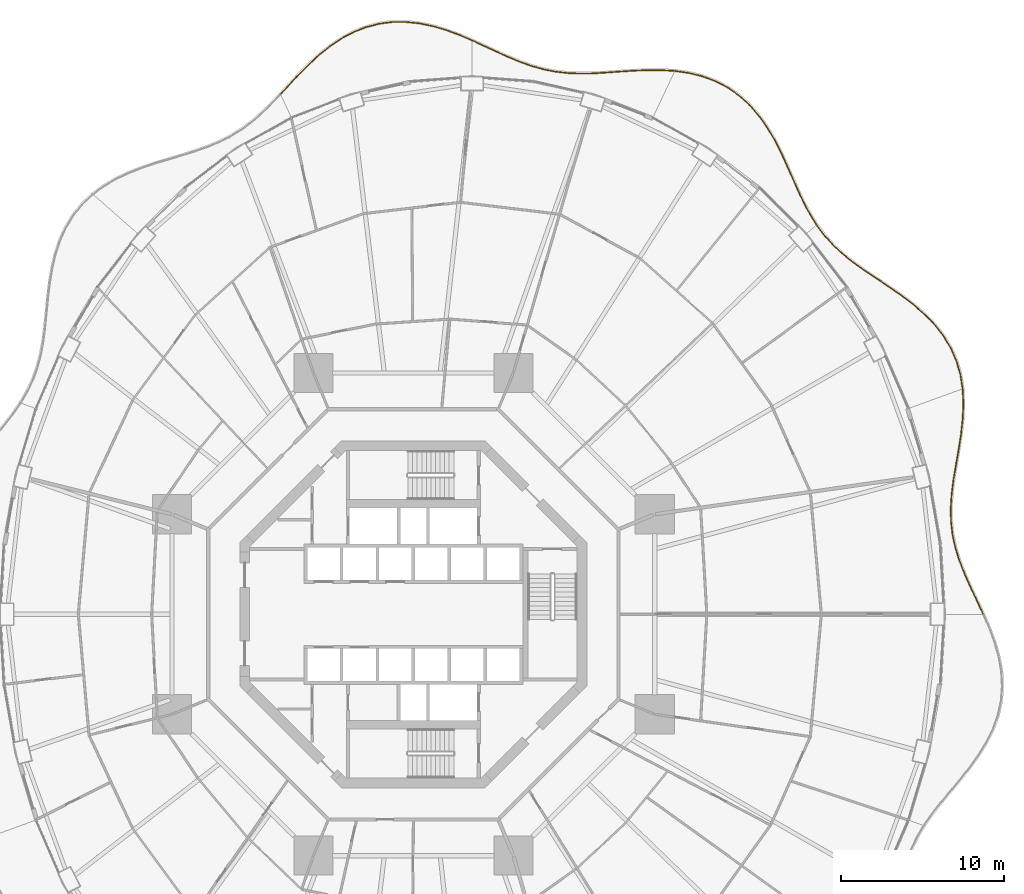
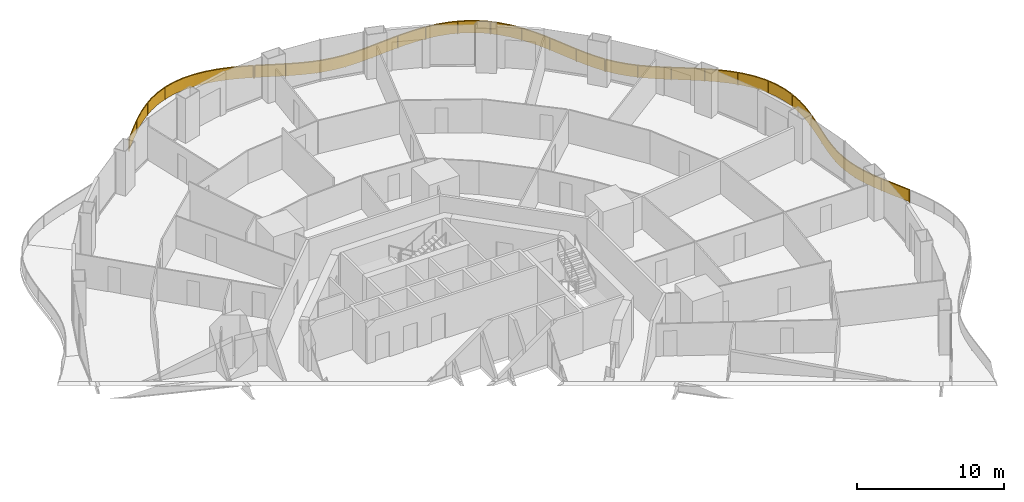
# One storey, part 22 of 22: 5 railings.
"""IFC4 building model written with IfcOpenShell, lengths in metres."""

from ifc_helpers import new_model, si_unit, direction, frame, origin, origin_2d, place, context, subcontext, project, spatial, polyline, rectangle, outline, extrude, material, type_object, element, save


model = new_model("IFC4")

# Units and contexts
model_context = context("Model", 3, precision=1e-05, world=origin(), true_north=direction((0.0, 1.0)))
body_context = subcontext(model_context, "Body", "Model", "MODEL_VIEW")
ifc_project = project(units=[si_unit("LENGTHUNIT", "METRE"), si_unit("AREAUNIT", "SQUARE_METRE"), si_unit("VOLUMEUNIT", "CUBIC_METRE"), si_unit("PLANEANGLEUNIT", "RADIAN"), si_unit("MASSUNIT", "GRAM", prefix="KILO")], contexts=[model_context])

# Site, building, storey
site_placement = place(None, origin())
site = spatial("IfcSite", under=ifc_project, at=site_placement, CompositionType="ELEMENT")
building_placement = place(site_placement, origin())
building = spatial("IfcBuilding", under=site, at=building_placement, Name="Nagisa Residences", CompositionType="ELEMENT")
storey_placement = place(building_placement, frame((0.0, 0.0, 38.10009765625)))
storey = spatial("IfcBuildingStorey", under=building, at=storey_placement, Name="L08", CompositionType="ELEMENT", Elevation=38.10009765625)

# Railings
ifc_material = material(Name="Stainless steel 316", Category="steel")
railing_type = type_object("IfcRailingType", Name="BALCONY GUARD 1100", PredefinedType="BALUSTRADE", material=ifc_material)
railing_1_placement = place(storey_placement, frame((34.8916015625, 0.034423828125, 0.0)))
element("IfcRailing", 1, at=railing_1_placement, inside=storey, type_object=railing_type, Name="guard:L08:bal00-0", PredefinedType="BALUSTRADE", context=body_context, shape_type="SweptSolid", body=[
    extrude(outline(polyline([(-0.401611328125, 0.796875), (-0.022705078125, -0.0107421875), (0.022705078125, 0.0107421875), (-0.356201171875, 0.818359375), (-0.749755859375, 1.651123046875), (-1.11474609375, 2.4697265625), (-1.430419921875, 3.278564453125), (-1.6796875, 4.08349609375), (-1.849853515625, 4.877197265625), (-1.93994140625, 5.694091796875), (-1.95068359375, 6.526611328125), (-1.89208984375, 7.37939453125), (-1.77880859375, 8.254638671875), (-1.627685546875, 9.138916015625), (-1.468994140625, 10.056640625), (-1.3251953125, 10.98876953125), (-1.221923828125, 11.927490234375), (-1.182373046875, 12.863525390625), (-1.223876953125, 13.7392578125), (-1.273681640625, 13.73681640625), (-1.232666015625, 12.863525390625), (-1.271728515625, 11.931396484375), (-1.375, 10.9951171875), (-1.518310546875, 10.06494140625), (-1.677001953125, 9.147216796875), (-1.828125, 8.261962890625), (-1.94189453125, 7.38427734375), (-2.0009765625, 6.528076171875), (-1.98974609375, 5.691162109375), (-1.899169921875, 4.869384765625), (-1.72802734375, 4.07080078125), (-1.477783203125, 3.261962890625), (-1.1611328125, 2.4501953125), (-0.795166015625, 1.630126953125), (-0.401611328125, 0.796875)])), frame((0.0, 0.0, 1.050048828125)), (0.0, 0.0, 1.0), 0.050048828125),
    extrude(outline(polyline([(-0.38525390625, 0.8046875), (-0.00634765625, -0.0029296875), (0.00634765625, 0.0029296875), (-0.37255859375, 0.810546875), (-0.76611328125, 1.6435546875), (-1.131591796875, 2.462646484375), (-1.447509765625, 3.2724609375), (-1.697021484375, 4.078857421875), (-1.86767578125, 4.87451171875), (-1.957763671875, 5.693115234375), (-1.96875, 6.527099609375), (-1.909912109375, 7.381103515625), (-1.796630859375, 8.25732421875), (-1.6455078125, 9.141845703125), (-1.48681640625, 10.0595703125), (-1.34326171875, 10.990966796875), (-1.23974609375, 11.928955078125), (-1.200439453125, 12.863525390625), (-1.24169921875, 13.73828125), (-1.255859375, 13.73779296875), (-1.214599609375, 12.863525390625), (-1.25390625, 11.929931640625), (-1.35693359375, 10.992919921875), (-1.50048828125, 10.06201171875), (-1.6591796875, 9.144287109375), (-1.810302734375, 8.25927734375), (-1.924072265625, 7.382568359375), (-1.98291015625, 6.527587890625), (-1.971923828125, 5.692138671875), (-1.88134765625, 4.8720703125), (-1.710693359375, 4.075439453125), (-1.460693359375, 3.26806640625), (-1.144287109375, 2.457275390625), (-0.77880859375, 1.6376953125), (-0.38525390625, 0.8046875)])), frame((0.0, 0.0, 0.06005859375)), (0.0, 0.0, 1.0), 0.989990234375),
    extrude(rectangle(XDim=0.0400390625, YDim=0.0400390625, at=origin_2d()), origin(), (0.0, 0.0, 1.0), 1.050048828125),
    extrude(rectangle(XDim=0.0400390625, YDim=0.0400390625, at=origin_2d()), frame((-0.995361328125, 2.140380859375, 0.0)), (0.0, 0.0, 1.0), 1.050048828125),
    extrude(rectangle(XDim=0.0400390625, YDim=0.0400390625, at=origin_2d()), frame((-1.765869140625, 4.36669921875, 0.0)), (0.0, 0.0, 1.0), 1.050048828125),
    extrude(rectangle(XDim=0.0400390625, YDim=0.0400390625, at=origin_2d()), frame((-1.963134765625, 6.710205078125, 0.0)), (0.0, 0.0, 1.0), 1.050048828125),
    extrude(rectangle(XDim=0.0400390625, YDim=0.0400390625, at=origin_2d()), frame((-1.668212890625, 9.05029296875, 0.0)), (0.0, 0.0, 1.0), 1.050048828125),
    extrude(rectangle(XDim=0.0400390625, YDim=0.0400390625, at=origin_2d()), frame((-1.30712890625, 11.382568359375, 0.0)), (0.0, 0.0, 1.0), 1.050048828125),
    extrude(rectangle(XDim=0.0400390625, YDim=0.0400390625, at=origin_2d()), frame((-1.248779296875, 13.738037109375, 0.0)), (0.0, 0.0, 1.0), 1.050048828125),
])
railing_2_placement = place(storey_placement, frame((33.635498046875, 13.849365234375, 0.0)))
element("IfcRailing", 2, at=railing_2_placement, inside=storey, type_object=railing_type, Name="guard:L08:bal01-0", PredefinedType="BALUSTRADE", context=body_context, shape_type="SweptSolid", body=[
    extrude(outline(polyline([(-0.154541015625, 0.8173828125), (-0.024658203125, -0.00390625), (0.024658203125, 0.00390625), (-0.105712890625, 0.828125), (-0.347412109375, 1.665771484375), (-0.69482421875, 2.46240234375), (-1.144775390625, 3.21142578125), (-1.689208984375, 3.90966796875), (-2.3076171875, 4.5439453125), (-2.99560546875, 5.142822265625), (-3.727294921875, 5.69970703125), (-4.48046875, 6.22412109375), (-5.234619140625, 6.7275390625), (-5.961669921875, 7.210693359375), (-6.661376953125, 7.71240234375), (-7.31298828125, 8.2333984375), (-7.908447265625, 8.7861328125), (-8.44482421875, 9.38037109375), (-8.89990234375, 9.98974609375), (-8.93994140625, 9.9599609375), (-8.4833984375, 9.3486328125), (-7.944091796875, 8.7509765625), (-7.345703125, 8.1953125), (-6.691650390625, 7.67236328125), (-5.989990234375, 7.169677734375), (-5.262451171875, 6.68603515625), (-4.5087890625, 6.1826171875), (-3.756591796875, 5.6591796875), (-3.02734375, 5.103759765625), (-2.341796875, 4.50732421875), (-1.726806640625, 3.876953125), (-1.186279296875, 3.18310546875), (-0.7392578125, 2.439453125), (-0.394775390625, 1.648681640625), (-0.154541015625, 0.8173828125)])), frame((0.0, 0.0, 1.050048828125)), (0.0, 0.0, 1.0), 0.050048828125),
    extrude(outline(polyline([(-0.136962890625, 0.8212890625), (-0.0068359375, -0.0009765625), (0.0068359375, 0.0009765625), (-0.123291015625, 0.82421875), (-0.364501953125, 1.65966796875), (-0.710693359375, 2.4541015625), (-1.15966796875, 3.201171875), (-1.70263671875, 3.89794921875), (-2.31982421875, 4.53076171875), (-3.007080078125, 5.128662109375), (-3.73779296875, 5.68505859375), (-4.49072265625, 6.209228515625), (-5.24462890625, 6.712646484375), (-5.971923828125, 7.196044921875), (-6.67236328125, 7.697998046875), (-7.32470703125, 8.2197265625), (-7.92138671875, 8.7734375), (-8.458740234375, 9.368896484375), (-8.914306640625, 9.97900390625), (-8.925537109375, 9.970703125), (-8.469482421875, 9.360107421875), (-7.93115234375, 8.763671875), (-7.333984375, 8.208984375), (-6.6806640625, 7.686767578125), (-5.979736328125, 7.184326171875), (-5.25244140625, 6.700927734375), (-4.49853515625, 6.197509765625), (-3.74609375, 5.673828125), (-3.015869140625, 5.117919921875), (-2.32958984375, 4.5205078125), (-1.71337890625, 3.888671875), (-1.17138671875, 3.193359375), (-0.723388671875, 2.44775390625), (-0.377685546875, 1.65478515625), (-0.136962890625, 0.8212890625)])), frame((0.0, 0.0, 0.06005859375)), (0.0, 0.0, 1.0), 0.989990234375),
    extrude(rectangle(XDim=0.0400390625, YDim=0.0400390625, at=origin_2d()), origin(), (0.0, 0.0, 1.0), 1.050048828125),
    extrude(rectangle(XDim=0.0400390625, YDim=0.0400390625, at=origin_2d()), frame((-0.610595703125, 2.206787109375, 0.0)), (0.0, 0.0, 1.0), 1.050048828125),
    extrude(rectangle(XDim=0.0400390625, YDim=0.0400390625, at=origin_2d()), frame((-1.904541015625, 4.0947265625, 0.0)), (0.0, 0.0, 1.0), 1.050048828125),
    extrude(rectangle(XDim=0.0400390625, YDim=0.0400390625, at=origin_2d()), frame((-3.63916015625, 5.60107421875, 0.0)), (0.0, 0.0, 1.0), 1.050048828125),
    extrude(rectangle(XDim=0.0400390625, YDim=0.0400390625, at=origin_2d()), frame((-5.53857421875, 6.8994140625, 0.0)), (0.0, 0.0, 1.0), 1.050048828125),
    extrude(rectangle(XDim=0.0400390625, YDim=0.0400390625, at=origin_2d()), frame((-7.386474609375, 8.267333984375, 0.0)), (0.0, 0.0, 1.0), 1.050048828125),
    extrude(rectangle(XDim=0.0400390625, YDim=0.0400390625, at=origin_2d()), frame((-8.919921875, 9.974853515625, 0.0)), (0.0, 0.0, 1.0), 1.050048828125),
])
railing_3_placement = place(storey_placement, frame((24.677490234375, 23.88232421875, 0.0)))
element("IfcRailing", 3, at=railing_3_placement, inside=storey, type_object=railing_type, Name="guard:L08:bal02-0", PredefinedType="BALUSTRADE", context=body_context, shape_type="SweptSolid", body=[
    extrude(outline(polyline([(-0.41064453125, 0.613037109375), (-0.021240234375, -0.01318359375), (0.021240234375, 0.01318359375), (-0.3671875, 0.637939453125), (-0.74267578125, 1.34228515625), (-1.095458984375, 2.086669921875), (-1.43896484375, 2.86181640625), (-1.788818359375, 3.656005859375), (-2.14794921875, 4.44384765625), (-2.553955078125, 5.230224609375), (-3.0068359375, 5.987060546875), (-3.515380859375, 6.697509765625), (-4.08544921875, 7.345947265625), (-4.706787109375, 7.91015625), (-5.401123046875, 8.396240234375), (-6.154052734375, 8.79052734375), (-6.956787109375, 9.0908203125), (-7.798583984375, 9.30029296875), (-8.6220703125, 9.416748046875), (-8.62890625, 9.367431640625), (-7.808349609375, 9.2509765625), (-6.971435546875, 9.04296875), (-6.174560546875, 8.74462890625), (-5.427001953125, 8.353271484375), (-4.738037109375, 7.87109375), (-4.12109375, 7.310791015625), (-3.554443359375, 6.666259765625), (-3.048828125, 5.959716796875), (-2.597900390625, 5.205810546875), (-2.19287109375, 4.421875), (-1.834716796875, 3.635498046875), (-1.48486328125, 2.841796875), (-1.140869140625, 2.065673828125), (-0.78759765625, 1.31982421875), (-0.41064453125, 0.613037109375)])), frame((0.0, 0.0, 1.050048828125)), (0.0, 0.0, 1.0), 0.050048828125),
    extrude(outline(polyline([(-0.39501953125, 0.6220703125), (-0.005859375, -0.003662109375), (0.005859375, 0.003662109375), (-0.3828125, 0.62890625), (-0.7587890625, 1.334228515625), (-1.11181640625, 2.0791015625), (-1.45556640625, 2.854736328125), (-1.805419921875, 3.648681640625), (-2.1640625, 4.43603515625), (-2.56982421875, 5.221435546875), (-3.02197265625, 5.977294921875), (-3.529541015625, 6.686279296875), (-4.098388671875, 7.333251953125), (-4.718017578125, 7.89599609375), (-5.410400390625, 8.380859375), (-6.161376953125, 8.77392578125), (-6.9619140625, 9.073486328125), (-7.80224609375, 9.282470703125), (-8.62451171875, 9.39892578125), (-8.62646484375, 9.38525390625), (-7.8046875, 9.268798828125), (-6.96630859375, 9.060302734375), (-6.167236328125, 8.76123046875), (-5.417724609375, 8.36865234375), (-4.726806640625, 7.88525390625), (-4.108154296875, 7.323486328125), (-3.540283203125, 6.677490234375), (-3.03369140625, 5.969482421875), (-2.58203125, 5.214599609375), (-2.1767578125, 4.4296875), (-1.818115234375, 3.642822265625), (-1.46826171875, 2.848876953125), (-1.12451171875, 2.0732421875), (-0.771484375, 1.327880859375), (-0.39501953125, 0.6220703125)])), frame((0.0, 0.0, 0.06005859375)), (0.0, 0.0, 1.0), 0.989990234375),
    extrude(rectangle(XDim=0.0400390625, YDim=0.0400390625, at=origin_2d()), origin(), (0.0, 0.0, 1.0), 1.050048828125),
    extrude(rectangle(XDim=0.0400390625, YDim=0.0400390625, at=origin_2d()), frame((-1.07177734375, 1.978271484375, 0.0)), (0.0, 0.0, 1.0), 1.050048828125),
    extrude(rectangle(XDim=0.0400390625, YDim=0.0400390625, at=origin_2d()), frame((-1.9892578125, 4.035400390625, 0.0)), (0.0, 0.0, 1.0), 1.050048828125),
    extrude(rectangle(XDim=0.0400390625, YDim=0.0400390625, at=origin_2d()), frame((-3.057861328125, 6.015380859375, 0.0)), (0.0, 0.0, 1.0), 1.050048828125),
    extrude(rectangle(XDim=0.0400390625, YDim=0.0400390625, at=origin_2d()), frame((-4.526611328125, 7.712890625, 0.0)), (0.0, 0.0, 1.0), 1.050048828125),
    extrude(rectangle(XDim=0.0400390625, YDim=0.0400390625, at=origin_2d()), frame((-6.442138671875, 8.87158203125, 0.0)), (0.0, 0.0, 1.0), 1.050048828125),
    extrude(rectangle(XDim=0.0400390625, YDim=0.0400390625, at=origin_2d()), frame((-8.62548828125, 9.39208984375, 0.0)), (0.0, 0.0, 1.0), 1.050048828125),
])
railing_4_placement = place(storey_placement, frame((15.974853515625, 33.281494140625, 0.0)))
element("IfcRailing", 4, at=railing_4_placement, inside=storey, type_object=railing_type, Name="guard:L08:bal03-0", PredefinedType="BALUSTRADE", context=body_context, shape_type="SweptSolid", body=[
    extrude(outline(polyline([(-0.806396484375, 0.02294921875), (-0.00146484375, -0.02490234375), (0.00146484375, 0.02490234375), (-0.804931640625, 0.07275390625), (-1.663818359375, 0.073486328125), (-2.518310546875, 0.036865234375), (-3.360107421875, -0.01904296875), (-4.18408203125, -0.0771484375), (-4.968994140625, -0.125), (-5.748046875, -0.13720703125), (-6.505126953125, -0.10693359375), (-7.244140625, -0.0244140625), (-7.9697265625, 0.115234375), (-8.670654296875, 0.309814453125), (-9.388916015625, 0.561279296875), (-10.11328125, 0.85888671875), (-10.849609375, 1.190673828125), (-11.60205078125, 1.541259765625), (-12.329833984375, 1.876220703125), (-12.350830078125, 1.830810546875), (-11.623046875, 1.495849609375), (-10.87060546875, 1.145263671875), (-10.13330078125, 0.81298828125), (-9.406494140625, 0.514404296875), (-8.685791015625, 0.261962890625), (-7.98095703125, 0.06640625), (-7.25146484375, -0.07373046875), (-6.509033203125, -0.15673828125), (-5.74853515625, -0.1875), (-4.967041015625, -0.1748046875), (-4.1806640625, -0.126953125), (-3.356689453125, -0.06884765625), (-2.515380859375, -0.012939453125), (-1.662841796875, 0.023193359375), (-0.806396484375, 0.02294921875)])), frame((0.0, 0.0, 1.050048828125)), (0.0, 0.0, 1.0), 0.050048828125),
    extrude(outline(polyline([(-0.805908203125, 0.040771484375), (-0.00048828125, -0.007080078125), (0.00048828125, 0.007080078125), (-0.805419921875, 0.054931640625), (-1.66357421875, 0.055419921875), (-2.517333984375, 0.01904296875), (-3.35888671875, -0.036865234375), (-4.182861328125, -0.094970703125), (-4.96826171875, -0.142822265625), (-5.748291015625, -0.1552734375), (-6.506591796875, -0.124755859375), (-7.246826171875, -0.042236328125), (-7.9736328125, 0.09765625), (-8.676025390625, 0.29248046875), (-9.395263671875, 0.54443359375), (-10.12060546875, 0.84228515625), (-10.857177734375, 1.17431640625), (-11.609619140625, 1.52490234375), (-12.33740234375, 1.85986328125), (-12.34326171875, 1.84716796875), (-11.615478515625, 1.51220703125), (-10.863037109375, 1.16162109375), (-10.1259765625, 0.82958984375), (-9.400146484375, 0.53125), (-8.680419921875, 0.279296875), (-7.97705078125, 0.083984375), (-7.248779296875, -0.055908203125), (-6.507568359375, -0.138916015625), (-5.748291015625, -0.16943359375), (-4.9677734375, -0.156982421875), (-4.181884765625, -0.109130859375), (-3.35791015625, -0.051025390625), (-2.516357421875, 0.0048828125), (-1.6630859375, 0.041259765625), (-0.805908203125, 0.040771484375)])), frame((0.0, 0.0, 0.06005859375)), (0.0, 0.0, 1.0), 0.989990234375),
    extrude(rectangle(XDim=0.0400390625, YDim=0.0400390625, at=origin_2d()), origin(), (0.0, 0.0, 1.0), 1.050048828125),
    extrude(rectangle(XDim=0.0400390625, YDim=0.0400390625, at=origin_2d()), frame((-2.11767578125, 0.029052734375, 0.0)), (0.0, 0.0, 1.0), 1.050048828125),
    extrude(rectangle(XDim=0.0400390625, YDim=0.0400390625, at=origin_2d()), frame((-4.23291015625, -0.105224609375, 0.0)), (0.0, 0.0, 1.0), 1.050048828125),
    extrude(rectangle(XDim=0.0400390625, YDim=0.0400390625, at=origin_2d()), frame((-6.350341796875, -0.13818359375, 0.0)), (0.0, 0.0, 1.0), 1.050048828125),
    extrude(rectangle(XDim=0.0400390625, YDim=0.0400390625, at=origin_2d()), frame((-8.4345703125, 0.21826171875, 0.0)), (0.0, 0.0, 1.0), 1.050048828125),
    extrude(rectangle(XDim=0.0400390625, YDim=0.0400390625, at=origin_2d()), frame((-10.4150390625, 0.96728515625, 0.0)), (0.0, 0.0, 1.0), 1.050048828125),
    extrude(rectangle(XDim=0.0400390625, YDim=0.0400390625, at=origin_2d()), frame((-12.34033203125, 1.853515625, 0.0)), (0.0, 0.0, 1.0), 1.050048828125),
])
railing_5_placement = place(storey_placement, frame((3.565185546875, 35.1669921875, 0.0)))
element("IfcRailing", 5, at=railing_5_placement, inside=storey, type_object=railing_type, Name="guard:L08:bal04-0", PredefinedType="BALUSTRADE", context=body_context, shape_type="SweptSolid", body=[
    extrude(outline(polyline([(-0.756103515625, 0.295654296875), (-0.009765625, -0.02294921875), (0.009765625, 0.02294921875), (-0.737548828125, 0.342041015625), (-1.54736328125, 0.6396484375), (-2.3720703125, 0.88232421875), (-3.20654296875, 1.052978515625), (-4.043212890625, 1.1396484375), (-4.859619140625, 1.133544921875), (-5.68017578125, 1.025390625), (-6.480224609375, 0.816162109375), (-7.253173828125, 0.509521484375), (-7.994140625, 0.11376953125), (-8.6826171875, -0.353759765625), (-9.3515625, -0.88916015625), (-9.98583984375, -1.469482421875), (-10.589599609375, -2.077392578125), (-11.1689453125, -2.693603515625), (-11.69921875, -3.2705078125), (-11.66259765625, -3.30419921875), (-11.13232421875, -2.727783203125), (-10.553466796875, -2.112060546875), (-9.951171875, -1.505615234375), (-9.31884765625, -0.92724609375), (-8.65283203125, -0.394287109375), (-7.96826171875, 0.07080078125), (-7.232177734375, 0.464111328125), (-6.464599609375, 0.768310546875), (-5.67041015625, 0.97607421875), (-4.856201171875, 1.083740234375), (-4.045654296875, 1.08935546875), (-3.21435546875, 1.003662109375), (-2.38427734375, 0.83349609375), (-1.56298828125, 0.59228515625), (-0.756103515625, 0.295654296875)])), frame((0.0, 0.0, 1.050048828125)), (0.0, 0.0, 1.0), 0.050048828125),
    extrude(outline(polyline([(-0.74951171875, 0.312255859375), (-0.002685546875, -0.00634765625), (0.002685546875, 0.00634765625), (-0.744140625, 0.325439453125), (-1.552978515625, 0.62255859375), (-2.37646484375, 0.86474609375), (-3.20947265625, 1.03515625), (-4.044189453125, 1.12158203125), (-4.8583984375, 1.11572265625), (-5.6767578125, 1.007568359375), (-6.474609375, 0.798828125), (-7.24560546875, 0.4931640625), (-7.98486328125, 0.098388671875), (-8.671875, -0.368408203125), (-9.33984375, -0.90283203125), (-9.973388671875, -1.482421875), (-10.57666015625, -2.08984375), (-11.15576171875, -2.705810546875), (-11.68603515625, -3.28271484375), (-11.67578125, -3.2919921875), (-11.1455078125, -2.715576171875), (-10.56640625, -2.099609375), (-9.963623046875, -1.49267578125), (-9.33056640625, -0.91357421875), (-8.66357421875, -0.379638671875), (-7.9775390625, 0.086181640625), (-7.23974609375, 0.48046875), (-6.47021484375, 0.78564453125), (-5.673828125, 0.993896484375), (-4.857421875, 1.1015625), (-4.044677734375, 1.107421875), (-3.21142578125, 1.021484375), (-2.3798828125, 0.85107421875), (-1.557373046875, 0.609375), (-0.74951171875, 0.312255859375)])), frame((0.0, 0.0, 0.06005859375)), (0.0, 0.0, 1.0), 0.989990234375),
    extrude(rectangle(XDim=0.0400390625, YDim=0.0400390625, at=origin_2d()), origin(), (0.0, 0.0, 1.0), 1.050048828125),
    extrude(rectangle(XDim=0.0400390625, YDim=0.0400390625, at=origin_2d()), frame((-2.08837890625, 0.772705078125, 0.0)), (0.0, 0.0, 1.0), 1.050048828125),
    extrude(rectangle(XDim=0.0400390625, YDim=0.0400390625, at=origin_2d()), frame((-4.28369140625, 1.11279296875, 0.0)), (0.0, 0.0, 1.0), 1.050048828125),
    extrude(rectangle(XDim=0.0400390625, YDim=0.0400390625, at=origin_2d()), frame((-6.478271484375, 0.789794921875, 0.0)), (0.0, 0.0, 1.0), 1.050048828125),
    extrude(rectangle(XDim=0.0400390625, YDim=0.0400390625, at=origin_2d()), frame((-8.452392578125, -0.227783203125, 0.0)), (0.0, 0.0, 1.0), 1.050048828125),
    extrude(rectangle(XDim=0.0400390625, YDim=0.0400390625, at=origin_2d()), frame((-10.1484375, -1.6689453125, 0.0)), (0.0, 0.0, 1.0), 1.050048828125),
    extrude(rectangle(XDim=0.0400390625, YDim=0.0400390625, at=origin_2d()), frame((-11.680908203125, -3.287353515625, 0.0)), (0.0, 0.0, 1.0), 1.050048828125),
])

save(model, "model.ifc")
